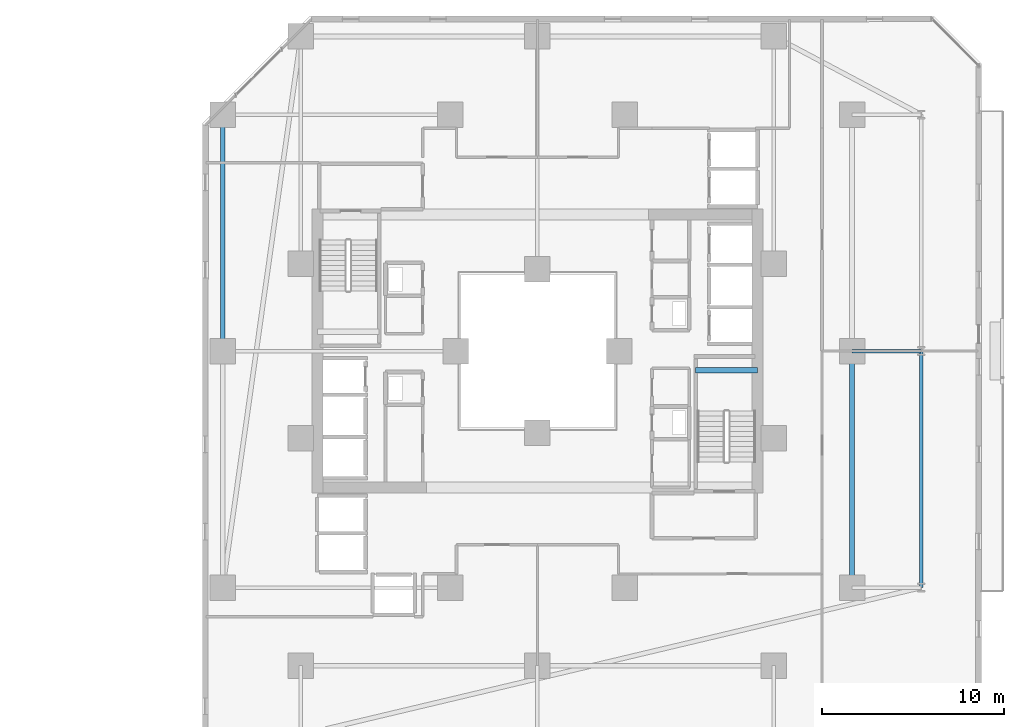
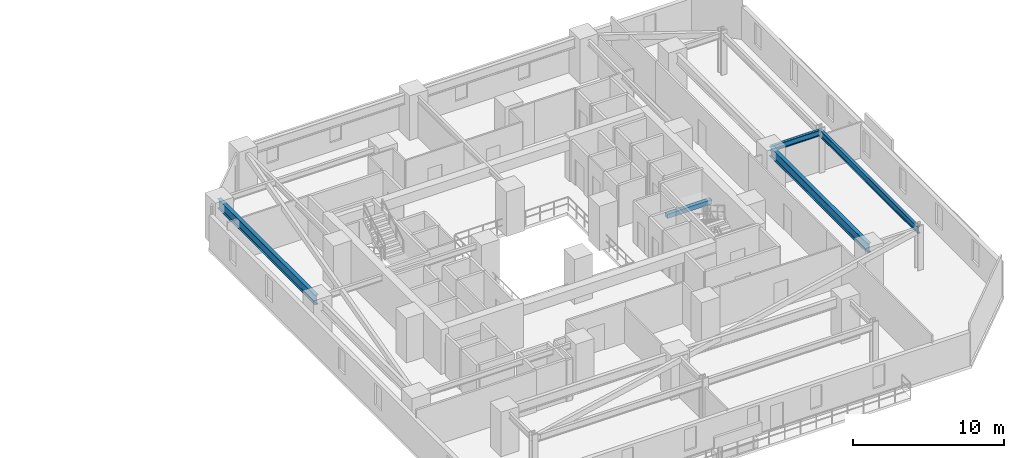
# One storey, part 13 of 33: 5 beams.
"""IFC4 building model written with IfcOpenShell, lengths in metres."""

import ifcopenshell
import ifcopenshell.guid

model = None  # the IFC model being written
_history = None  # IfcOwnerHistory: only IFC2X3 demands one
_inside = {}  # id of a spatial element -> (the spatial element, [elements in it])
_under = {}  # id of a project, library or spatial element -> (it, [spatial elements below it])
_declared = {}  # id of a project -> (the project, [libraries it declares])
_typed = {}  # id of a type object -> (the type object, [elements of that type])
_made_of = {}  # id of a material, layer set ... -> (it, [elements and type objects made of it])


def new_model(schema):
    """Start an empty IFC model of exactly this schema.

    Asked for "IFC4X3", IfcOpenShell would pick the latest addendum, in which some entities
    have other attributes; the version numbers below select the first issue.
    IFC2X3 requires an IfcOwnerHistory on every rooted entity: one is made here for all.
    """
    global model, _history
    if schema == "IFC4X3":
        model = ifcopenshell.file(schema_version=(4, 3, 0, 0))
    else:
        model = ifcopenshell.file(schema=schema)
    _inside.clear()
    _under.clear()
    _declared.clear()
    _typed.clear()
    _made_of.clear()
    _history = None
    if model.schema == "IFC2X3":
        org = make("IfcOrganization", Name="unknown")
        user = make(
            "IfcPersonAndOrganization",
            ThePerson=make("IfcPerson", FamilyName="unknown"),
            TheOrganization=org,
        )
        app = make(
            "IfcApplication",
            ApplicationDeveloper=org,
            Version="unknown",
            ApplicationFullName="unknown",
            ApplicationIdentifier="unknown",
        )
        _history = make(
            "IfcOwnerHistory",
            OwningUser=user,
            OwningApplication=app,
            ChangeAction="ADDED",
            CreationDate=0,
        )
    return model


def make(cls, **values):
    """One entity of the class cls with the attributes given. An attribute that is None is left unset."""
    return model.create_entity(
        cls, **{name: value for name, value in values.items() if value is not None}
    )


def rooted(cls, **values):
    """An entity with a GlobalId (a new one), such as an element, a storey or a relation."""
    return make(cls, GlobalId=ifcopenshell.guid.new(), OwnerHistory=_history, **values)


def si_unit(unit_type, name, prefix=None):
    """IfcSIUnit, for example si_unit("LENGTHUNIT", "METRE", prefix="MILLI")."""
    return make("IfcSIUnit", UnitType=unit_type, Prefix=prefix, Name=name)


def assignment(units):
    """IfcUnitAssignment: the units of a project."""
    return None if units is None else make("IfcUnitAssignment", Units=units)


def point(xyz):
    """IfcCartesianPoint."""
    return None if xyz is None else make("IfcCartesianPoint", Coordinates=xyz)


def direction(xyz):
    """IfcDirection."""
    return None if xyz is None else make("IfcDirection", DirectionRatios=xyz)


def frame(location, z_axis=None, x_axis=None):
    """IfcAxis2Placement3D, a coordinate frame: its origin and axes. An axis left out is left unset."""
    return make(
        "IfcAxis2Placement3D",
        Location=point(location),
        Axis=direction(z_axis),
        RefDirection=direction(x_axis),
    )


def frame_2d(location, x_axis=None):
    """IfcAxis2Placement2D, a coordinate frame in the plane: its origin and x axis."""
    return make(
        "IfcAxis2Placement2D", Location=point(location), RefDirection=direction(x_axis)
    )


def origin():
    """The frame at (0, 0, 0) with its axes left unset."""
    return frame((0.0, 0.0, 0.0))


def origin_2d():
    """The frame at (0, 0) in the plane with its x axis left unset."""
    return frame_2d((0.0, 0.0))


def place(relative_to, where):
    """IfcLocalPlacement: puts the frame where relative to a parent placement (None: the world)."""
    return make(
        "IfcLocalPlacement", PlacementRelTo=relative_to, RelativePlacement=where
    )


def context(
    kind, dimensions, precision=None, world=None, true_north=None, identifier=None
):
    """IfcGeometricRepresentationContext, for example the 3D "Model" context."""
    return make(
        "IfcGeometricRepresentationContext",
        ContextIdentifier=identifier,
        ContextType=kind,
        CoordinateSpaceDimension=dimensions,
        Precision=precision,
        WorldCoordinateSystem=world,
        TrueNorth=true_north,
    )


def subcontext(parent, identifier, kind, view, scale=None):
    """IfcGeometricRepresentationSubContext, for example "Body" below "Model"."""
    return make(
        "IfcGeometricRepresentationSubContext",
        ContextIdentifier=identifier,
        ContextType=kind,
        ParentContext=parent,
        TargetScale=scale,
        TargetView=view,
    )


def project(units=None, contexts=None):
    """IfcProject with its units and contexts."""
    return rooted(
        "IfcProject",
        Name="project",
        RepresentationContexts=contexts,
        UnitsInContext=assignment(units),
    )


def spatial(cls, under=None, at=None, **own):
    """A site, building, storey or space (cls), placed at a placement, below another one or the project."""
    s = rooted(cls, ObjectPlacement=at, **own)
    if under is not None:
        _under.setdefault(under.id(), (under, []))[1].append(s)
    return s


def profile(cls, at=None, kind="AREA", **sizes):
    """A parametric profile (cls). Its sizes go by their IFC names, for example OverallWidth=200.0."""
    return make(cls, ProfileType=kind, Position=at, **sizes)


def rectangle(**sizes):
    """IfcRectangleProfileDef."""
    return profile("IfcRectangleProfileDef", **sizes)


def i_section(**sizes):
    """IfcIShapeProfileDef."""
    return profile("IfcIShapeProfileDef", **sizes)


def extrude(swept, where, along, depth):
    """IfcExtrudedAreaSolid: the profile swept, set in the frame where, extruded along a direction by depth."""
    return make(
        "IfcExtrudedAreaSolid",
        SweptArea=swept,
        Position=where,
        ExtrudedDirection=direction(along),
        Depth=depth,
    )


def shape(context_of_items, identifier, shape_type, items):
    """IfcShapeRepresentation: the items that make up one representation, for example the "Body"."""
    return make(
        "IfcShapeRepresentation",
        ContextOfItems=context_of_items,
        RepresentationIdentifier=identifier,
        RepresentationType=shape_type,
        Items=items,
    )


def material(Name=None, Category=None):
    """IfcMaterial."""
    return make("IfcMaterial", Name=Name, Category=Category)


def material_profile(
    of_material, cross_section, Name=None, Category=None, Priority=None
):
    """IfcMaterialProfile: a cross section and its material."""
    return make(
        "IfcMaterialProfile",
        Name=Name,
        Material=of_material,
        Profile=cross_section,
        Priority=Priority,
        Category=Category,
    )


def profile_set(profiles, Name=None, composite=None):
    """IfcMaterialProfileSet."""
    return make(
        "IfcMaterialProfileSet",
        Name=Name,
        MaterialProfiles=profiles,
        CompositeProfile=composite,
    )


def made_of(thing, what):
    """Note that an element or type object is made of a material, layer set ...; save() writes the relation."""
    if what is not None:
        _made_of.setdefault(what.id(), (what, []))[1].append(thing)
    return thing


def type_object(cls, material=None, **own):
    """A type object (cls), such as IfcWallType, which elements share."""
    return made_of(rooted(cls, **own), material)


def element(
    cls,
    number,
    at=None,
    inside=None,
    cuts=None,
    type_object=None,
    material=None,
    context=None,
    identifier="Body",
    shape_type=None,
    held_by="IfcProductDefinitionShape",
    body=None,
    shapes=None,
    **own,
):
    """One element of the class cls, such as IfcWall. Its Tag is "e" and its number.

    at: its placement. inside: the storey or other place that contains it. cuts: it is an
    opening in that element (IfcRelVoidsElement). A single representation is given by context,
    identifier, shape_type and body (its items); several are given by shapes. held_by: the class
    of the entity that holds the representations. save() writes the other relations.
    """
    e = rooted(cls, Tag="e%d" % number, ObjectPlacement=at, **own)
    if body is not None:
        shapes = [shape(context, identifier, shape_type, body)]
    if shapes is not None:
        e.Representation = make(held_by, Representations=shapes)
    if inside is not None:
        _inside.setdefault(inside.id(), (inside, []))[1].append(e)
    if cuts is not None:
        rooted(
            "IfcRelVoidsElement", RelatingBuildingElement=cuts, RelatedOpeningElement=e
        )
    if type_object is not None:
        _typed.setdefault(type_object.id(), (type_object, []))[1].append(e)
    return made_of(e, material)


def aggregate(whole, parts):
    """IfcRelAggregates: a whole, such as a stair, and the parts it consists of."""
    return rooted("IfcRelAggregates", RelatingObject=whole, RelatedObjects=parts)


def save(model, path):
    """Write the relations noted so far, then the file.

    IfcRelAggregates (storeys below a building ...), IfcRelContainedInSpatialStructure (elements
    in a storey), IfcRelDefinesByType, IfcRelAssociatesMaterial and IfcRelDeclares: one each for
    every whole, place, type object, material and project.
    """
    for whole, parts in _under.values():
        aggregate(whole, parts)
    for where, things in _inside.values():
        rooted(
            "IfcRelContainedInSpatialStructure",
            RelatedElements=things,
            RelatingStructure=where,
        )
    for kind, things in _typed.values():
        rooted("IfcRelDefinesByType", RelatedObjects=things, RelatingType=kind)
    for what, things in _made_of.values():
        rooted("IfcRelAssociatesMaterial", RelatedObjects=things, RelatingMaterial=what)
    for by, libraries in _declared.values():
        rooted("IfcRelDeclares", RelatingContext=by, RelatedDefinitions=libraries)
    model.write(path)


model = new_model("IFC4")

# Units and contexts
model_context = context("Model", 3, precision=1e-05, world=origin(), true_north=direction((0.0, 1.0)))
body_context = subcontext(model_context, "Body", "Model", "MODEL_VIEW")
ifc_project = project(units=[si_unit("LENGTHUNIT", "METRE"), si_unit("AREAUNIT", "SQUARE_METRE"), si_unit("VOLUMEUNIT", "CUBIC_METRE"), si_unit("PLANEANGLEUNIT", "RADIAN"), si_unit("MASSUNIT", "GRAM", prefix="KILO")], contexts=[model_context])

# Site, building, storey
site_placement = place(None, origin())
site = spatial("IfcSite", under=ifc_project, at=site_placement, CompositionType="ELEMENT")
building_placement = place(site_placement, origin())
building = spatial("IfcBuilding", under=site, at=building_placement, Name="Thornwick Lancets Civic Towers", CompositionType="ELEMENT")
storey_placement = place(building_placement, frame((0.0, 0.0, 31.5)))
storey = spatial("IfcBuildingStorey", under=building, at=storey_placement, Name="L07", CompositionType="ELEMENT", Elevation=31.5)

# Beams
ifc_material_1 = material(Name="Steel S355JR", Category="steel")
ifc_material_profile_1 = material_profile(ifc_material_1, i_section(OverallWidth=0.2119140625, OverallDepth=0.54443359375, WebThickness=0.0126953125, FlangeThickness=0.021240234375, FilletRadius=0.0126953125, at=origin_2d()), Name="UKB 533x210x122")
ifc_profile_set_1 = profile_set([ifc_material_profile_1], Name="Steel S355JR")
beam_type_1 = type_object("IfcBeamType", Name="BM_EDGE_533_122", PredefinedType="SPANDREL", material=ifc_profile_set_1)
beam_1_placement = place(storey_placement, frame((109.60009765625, 14.0, 3.087646484375), z_axis=(0.0, 1.0, 0.0), x_axis=(-1.0, 0.0, 0.0)))
element("IfcBeam", 1, at=beam_1_placement, inside=storey, type_object=beam_type_1, Name="BM-EDGE-L07-B-S0-1", PredefinedType="SPANDREL", context=body_context, shape_type="SweptSolid", body=[
    extrude(i_section(OverallWidth=0.2119140625, OverallDepth=0.54443359375, WebThickness=0.0126953125, FlangeThickness=0.021240234375, FilletRadius=0.0126953125, at=origin_2d()), origin(), (0.0, 0.0, 1.0), 13.0),
])
ifc_material_profile_2 = material_profile(ifc_material_1, i_section(OverallWidth=0.26806640625, OverallDepth=0.769775390625, WebThickness=0.015625, FlangeThickness=0.025390625, FilletRadius=0.0166015625, at=origin_2d()), Name="UKB 762x267x197")
ifc_profile_set_2 = profile_set([ifc_material_profile_2], Name="Steel S355JR")
beam_type_2 = type_object("IfcBeamType", Name="BM_GIRD_762_197", PredefinedType="BEAM", material=ifc_profile_set_2)
beam_2_placement = place(storey_placement, frame((105.800048828125, 14.0, 2.97509765625), z_axis=(0.0, 1.0, 0.0), x_axis=(-1.0, 0.0, 0.0)))
element("IfcBeam", 2, at=beam_2_placement, inside=storey, type_object=beam_type_2, Name="BM-SPINE-L07-B-0-1", PredefinedType="BEAM", context=body_context, shape_type="SweptSolid", body=[
    extrude(i_section(OverallWidth=0.26806640625, OverallDepth=0.769775390625, WebThickness=0.015625, FlangeThickness=0.025390625, FilletRadius=0.0166015625, at=origin_2d()), origin(), (0.0, 0.0, 1.0), 13.0),
])
beam_3_placement = place(storey_placement, frame((71.199951171875, 27.080078125, 2.97509765625), z_axis=(0.0, 1.0, 0.0), x_axis=(-1.0, 0.0, 0.0)))
element("IfcBeam", 3, at=beam_3_placement, inside=storey, type_object=beam_type_2, Name="BM-SPINE-L07-B-7-8", PredefinedType="BEAM", context=body_context, shape_type="SweptSolid", body=[
    extrude(i_section(OverallWidth=0.26806640625, OverallDepth=0.769775390625, WebThickness=0.015625, FlangeThickness=0.025390625, FilletRadius=0.0166015625, at=origin_2d()), origin(), (0.0, 0.0, 1.0), 12.919921875),
])
ifc_material_profile_3 = material_profile(ifc_material_1, i_section(OverallWidth=0.19287109375, OverallDepth=0.46728515625, WebThickness=0.011474609375, FlangeThickness=0.01953125, FilletRadius=0.01025390625, at=origin_2d()), Name="UKB 457x191x98")
ifc_profile_set_3 = profile_set([ifc_material_profile_3], Name="Steel S355JR")
beam_type_3 = type_object("IfcBeamType", Name="BM_JOIST_457_98", PredefinedType="JOIST", material=ifc_profile_set_3)
beam_4_placement = place(storey_placement, frame((105.800048828125, 27.0, 3.12646484375), z_axis=(1.0, 0.0, 0.0), x_axis=(0.0, 1.0, 0.0)))
element("IfcBeam", 4, at=beam_4_placement, inside=storey, type_object=beam_type_3, Name="BM-RAD-L07-B02", PredefinedType="JOIST", context=body_context, shape_type="SweptSolid", body=[
    extrude(i_section(OverallWidth=0.19287109375, OverallDepth=0.46728515625, WebThickness=0.011474609375, FlangeThickness=0.01953125, FilletRadius=0.01025390625, at=origin_2d()), origin(), (0.0, 0.0, 1.0), 3.800048828125),
])
ifc_material_2 = material(Name="Concrete C40/50", Category="concrete")
ifc_material_profile_4 = material_profile(ifc_material_2, rectangle(XDim=0.300048828125, YDim=0.35009765625, at=origin_2d()), Name="RC 300x350")
ifc_profile_set_4 = profile_set([ifc_material_profile_4], Name="Concrete C40/50")
beam_type_4 = type_object("IfcBeamType", Name="BM_STAIR_LDG", PredefinedType="BEAM", material=ifc_profile_set_4)
beam_5_placement = place(storey_placement, frame((100.60009765625, 25.93505859375, 1.3779296875), z_axis=(-1.0, 0.0, 0.0), x_axis=(0.0, -1.0, 0.0)))
element("IfcBeam", 5, at=beam_5_placement, inside=storey, type_object=beam_type_4, Name="L07 ST-B1 Landing Support Beam 1", PredefinedType="BEAM", context=body_context, shape_type="SweptSolid", body=[
    extrude(rectangle(XDim=0.300048828125, YDim=0.35009765625, at=origin_2d()), origin(), (0.0, 0.0, 1.0), 3.400146484375),
])

save(model, "model.ifc")
